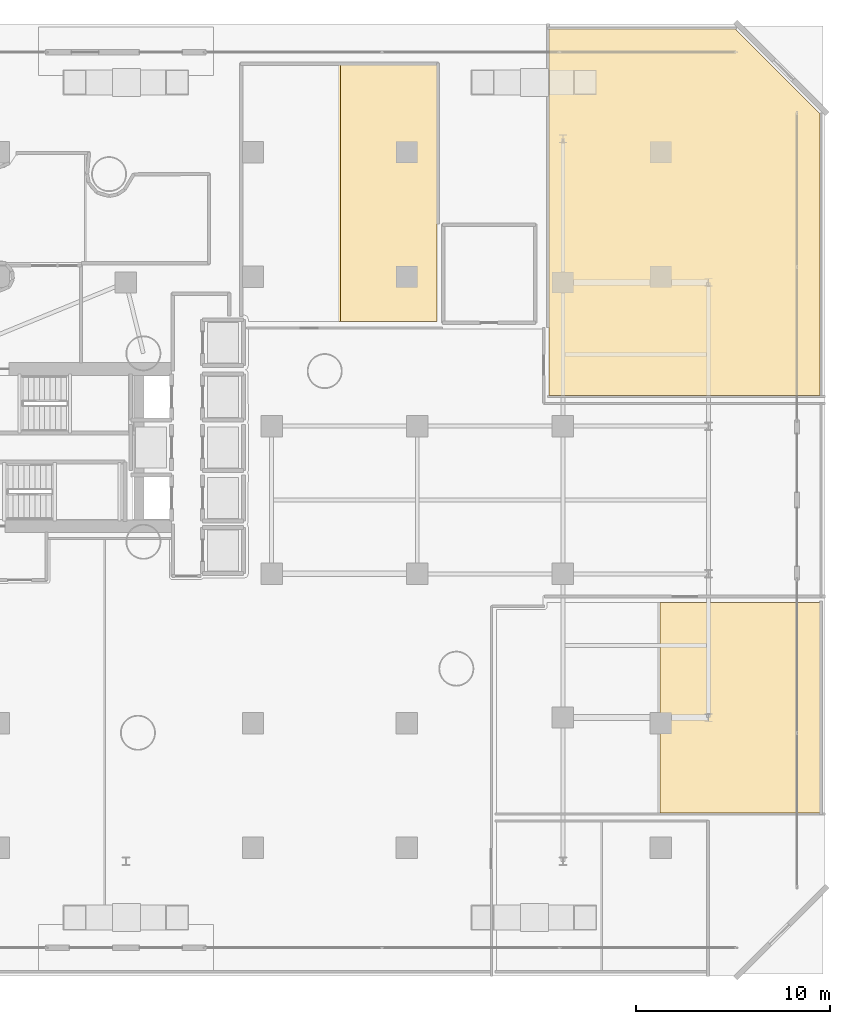
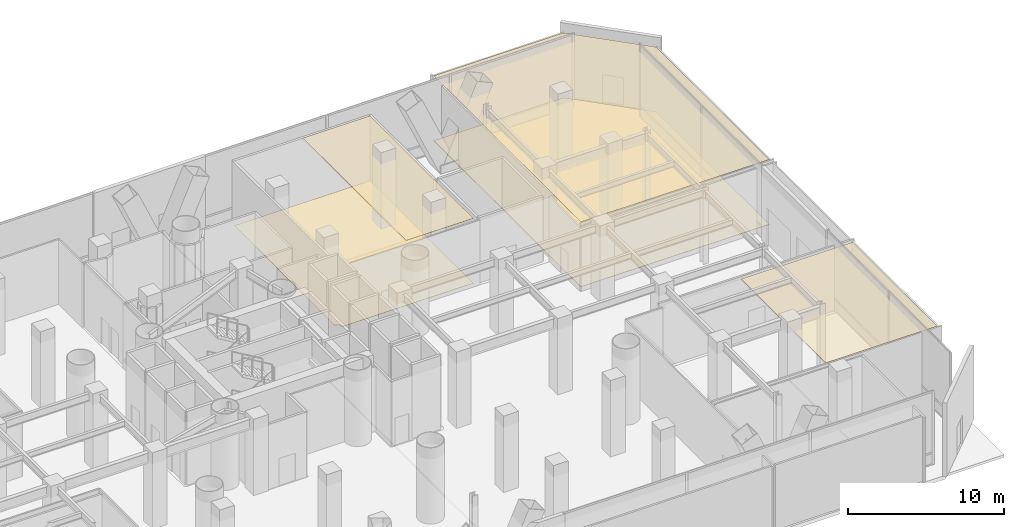
# One storey, part 39 of 40: 5 coverings.
"""IFC4 building model written with IfcOpenShell, lengths in metres."""

from ifc_helpers import new_model, si_unit, direction, frame, origin, place, context, subcontext, project, spatial, polyline, outline, extrude, material, layer, layer_set, type_object, element, save


model = new_model("IFC4")

# Units and contexts
model_context = context("Model", 3, precision=1e-05, world=origin(), true_north=direction((0.0, 1.0)))
body_context = subcontext(model_context, "Body", "Model", "MODEL_VIEW")
ifc_project = project(units=[si_unit("LENGTHUNIT", "METRE"), si_unit("AREAUNIT", "SQUARE_METRE"), si_unit("VOLUMEUNIT", "CUBIC_METRE"), si_unit("PLANEANGLEUNIT", "RADIAN"), si_unit("MASSUNIT", "GRAM", prefix="KILO")], contexts=[model_context])

# Site, building, storey
site_placement = place(None, origin())
site = spatial("IfcSite", under=ifc_project, at=site_placement, CompositionType="ELEMENT")
building_placement = place(site_placement, origin())
building = spatial("IfcBuilding", under=site, at=building_placement, Name="Qianvela Tower", CompositionType="ELEMENT")
storey_placement = place(building_placement, origin())
storey = spatial("IfcBuildingStorey", under=building, at=storey_placement, Name="L00", CompositionType="ELEMENT", Elevation=0.0)

# Coverings
ifc_material_1 = material(Name="Perforated Mineral Acoustic Ceiling Tile")
ifc_layer_1 = layer(ifc_material_1, 0.02490234375)
ifc_layer_set_1 = layer_set([ifc_layer_1], Name="Perforated Mineral Acoustic Ceiling Tile")
covering_type_1 = type_object("IfcCoveringType", Name="COV-CEIL-ACOUSTIC-25", PredefinedType="CEILING", material=ifc_layer_set_1)
covering_1_placement = place(storey_placement, frame((0.0, 0.0, 5.074951171875)))
element("IfcCovering", 1, at=covering_1_placement, inside=storey, type_object=covering_type_1, Name="L00 Acoustic Ceiling Bay 2 Campus Bookshop and Convenience Retail", PredefinedType="CEILING", context=body_context, shape_type="SweptSolid", body=[
    extrude(outline(polyline([(73.239990234375, 9.8798828125), (64.98681640625, 9.8798828125), (64.98681640625, 20.719970703125), (73.239990234375, 20.719970703125), (73.239990234375, 9.8798828125)])), origin(), (0.0, 0.0, 1.0), 0.025146484375),
])
covering_2_placement = place(storey_placement, frame((0.0, 0.0, 5.074951171875)))
element("IfcCovering", 2, at=covering_2_placement, inside=storey, type_object=covering_type_1, Name="L00 Acoustic Ceiling Service Loading and Refuse Bay", PredefinedType="CEILING", context=body_context, shape_type="SweptSolid", body=[
    extrude(outline(polyline([(68.892333984375, 50.239990234375), (73.239990234375, 45.892333984375), (73.239990234375, 31.3798828125), (59.280029296875, 31.3798828125), (59.280029296875, 50.239990234375), (68.892333984375, 50.239990234375)])), origin(), (0.0, 0.0, 1.0), 0.025146484375),
])
covering_3_placement = place(storey_placement, frame((0.0, 0.0, 5.074951171875)))
element("IfcCovering", 3, at=covering_3_placement, inside=storey, type_object=covering_type_1, Name="L00 Acoustic Ceiling Bay 2 Concourse Public Washrooms", PredefinedType="CEILING", context=body_context, shape_type="SweptSolid", body=[
    extrude(outline(polyline([(48.543701171875, 35.179931640625), (48.543701171875, 48.419921875), (53.52001953125, 48.419921875), (53.52001953125, 35.179931640625), (48.543701171875, 35.179931640625)])), origin(), (0.0, 0.0, 1.0), 0.025146484375),
])
ifc_material_2 = material(Name="Engineered Acoustic Oak Timber Flooring", Category="wood")
ifc_layer_2 = layer(ifc_material_2, 0.02001953125)
ifc_layer_set_2 = layer_set([ifc_layer_2], Name="Engineered Acoustic Oak Timber Flooring")
covering_type_2 = type_object("IfcCoveringType", Name="COV-FLOOR-OAK-20", PredefinedType="FLOORING", material=ifc_layer_set_2)
covering_4_placement = place(storey_placement, origin())
element("IfcCovering", 4, at=covering_4_placement, inside=storey, type_object=covering_type_2, Name="L00 Finish Flooring Concourse Public Washrooms", PredefinedType="FLOORING", context=body_context, shape_type="SweptSolid", body=[
    extrude(outline(polyline([(53.52001953125, 35.179931640625), (43.7998046875, 35.179931640625), (43.79931640625, 35.31396484375), (43.798828125, 35.32275390625), (43.79736328125, 35.331298828125), (43.794921875, 35.33984375), (43.79150390625, 35.347900390625), (43.751220703125, 35.43310546875), (43.74755859375, 35.440185546875), (43.743408203125, 35.44677734375), (43.73828125, 35.45263671875), (43.732666015625, 35.458251953125), (43.726806640625, 35.46337890625), (43.72021484375, 35.467529296875), (43.713134765625, 35.47119140625), (43.6279296875, 35.51171875), (43.619873046875, 35.514892578125), (43.611328125, 35.517333984375), (43.602783203125, 35.518798828125), (43.593994140625, 35.519287109375), (43.47998046875, 35.519775390625), (43.47998046875, 48.419921875), (53.52001953125, 48.419921875), (53.52001953125, 35.179931640625)])), origin(), (0.0, 0.0, 1.0), 0.02001953125),
])
ifc_material_3 = material(Name="Honed Stone Terrazzo Flooring", Category="masonry")
ifc_layer_3 = layer(ifc_material_3, 0.030029296875)
ifc_layer_set_3 = layer_set([ifc_layer_3], Name="Honed Stone Terrazzo Flooring")
covering_type_3 = type_object("IfcCoveringType", Name="COV-FLOOR-TERRAZZO-30", PredefinedType="FLOORING", material=ifc_layer_set_3)
covering_5_placement = place(storey_placement, origin())
element("IfcCovering", 5, at=covering_5_placement, inside=storey, type_object=covering_type_3, Name="L00 Finish Flooring Service Loading and Refuse Bay", PredefinedType="FLOORING", context=body_context, shape_type="SweptSolid", body=[
    extrude(outline(polyline([(68.892333984375, 50.239990234375), (73.239990234375, 45.892333984375), (73.239990234375, 31.3798828125), (59.280029296875, 31.3798828125), (59.280029296875, 50.239990234375), (68.892333984375, 50.239990234375)])), origin(), (0.0, 0.0, 1.0), 0.030029296875),
])

save(model, "model.ifc")
